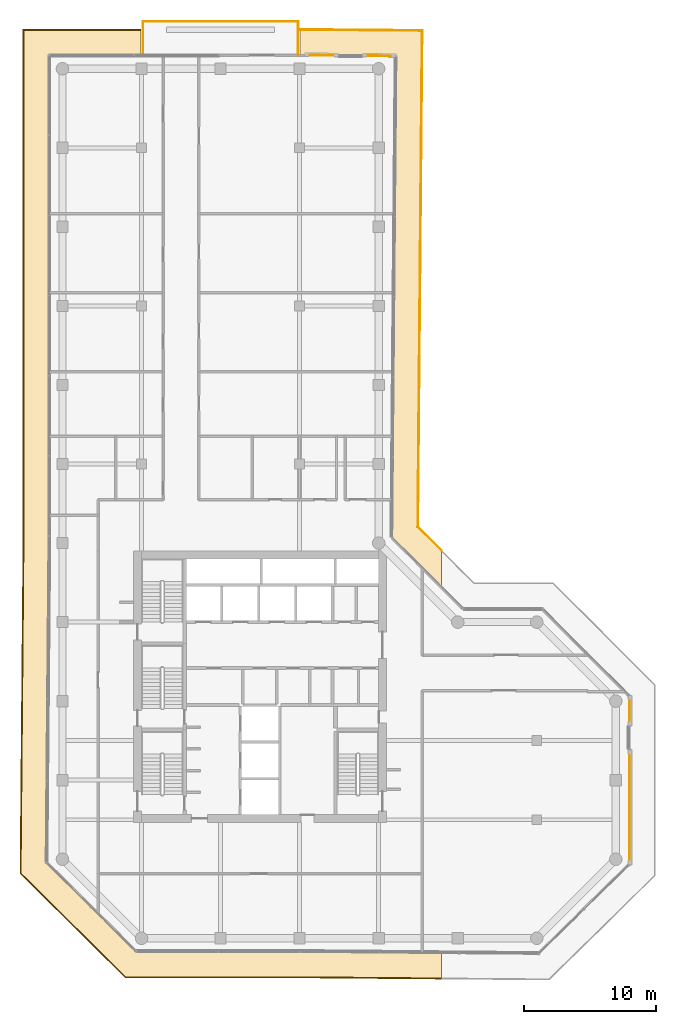
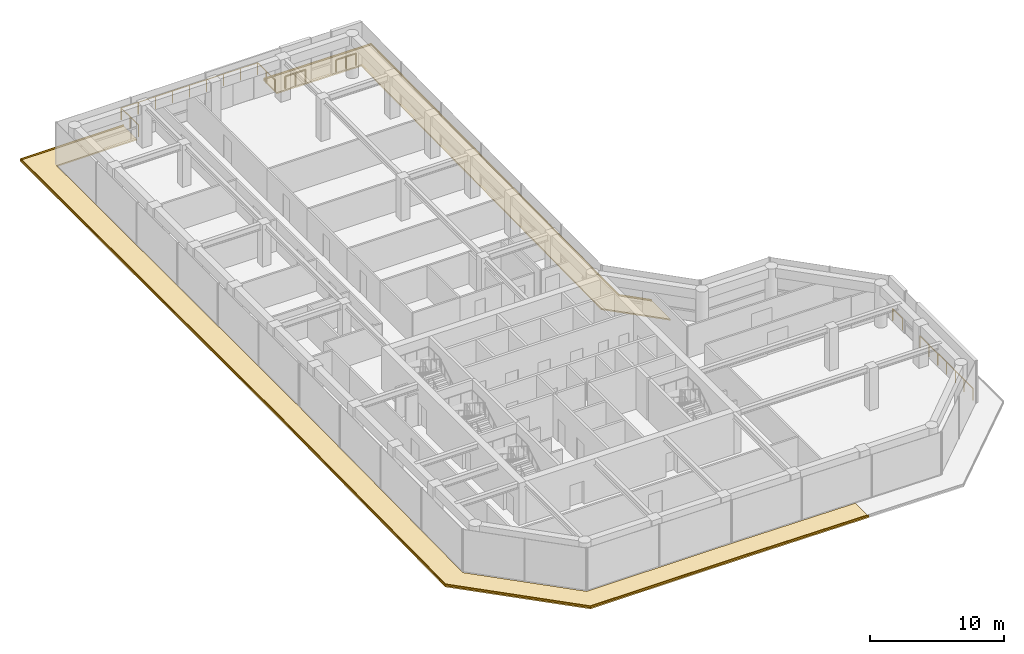
# One storey, part 19 of 19: 5 railings, 4 coverings.
"""IFC4 building model written with IfcOpenShell, lengths in metres."""

from ifc_helpers import new_model, si_unit, direction, frame, origin, origin_2d, place, context, subcontext, project, spatial, polyline, circle, outline, extrude, material, layer, layer_set, type_object, element, save


model = new_model("IFC4")

# Units and contexts
model_context = context("Model", 3, precision=1e-05, world=origin(), true_north=direction((0.0, 1.0)))
body_context = subcontext(model_context, "Body", "Model", "MODEL_VIEW")
ifc_project = project(units=[si_unit("LENGTHUNIT", "METRE"), si_unit("AREAUNIT", "SQUARE_METRE"), si_unit("VOLUMEUNIT", "CUBIC_METRE"), si_unit("PLANEANGLEUNIT", "RADIAN"), si_unit("MASSUNIT", "GRAM", prefix="KILO")], contexts=[model_context])

# Site, building, storey
site_placement = place(None, origin())
site = spatial("IfcSite", under=ifc_project, at=site_placement, CompositionType="ELEMENT")
building_placement = place(site_placement, origin())
building = spatial("IfcBuilding", under=site, at=building_placement, Name="Welwitschia Terrace Campus", CompositionType="ELEMENT")
storey_placement = place(building_placement, frame((0.0, 0.0, 167.60009765625)))
storey = spatial("IfcBuildingStorey", under=building, at=storey_placement, Name="L37", CompositionType="ELEMENT", Elevation=167.60009765625)

# Railings
ifc_material_1 = material(Name="Stainless steel grade 316", Category="steel")
railing_type = type_object("IfcRailingType", Name="Guard 1100", PredefinedType="GUARDRAIL", material=ifc_material_1)
railing_1_placement = place(storey_placement, frame((6.10009765625, 63.030029296875, 0.0)))
element("IfcRailing", 1, at=railing_1_placement, inside=storey, type_object=railing_type, Name="Guard terrace L37:0:0.0", PredefinedType="GUARDRAIL", context=body_context, shape_type="SweptSolid", body=[
    extrude(circle(Radius=0.02392578125, at=origin_2d()), frame((0.0, 0.0, 1.076171875), z_axis=(0.0, 1.0, 0.0), x_axis=(-1.0, 0.0, 0.0)), (0.0, 0.0, 1.0), 2.570068359375),
    extrude(circle(Radius=0.02392578125, at=origin_2d()), frame((0.0, 2.570068359375, 1.076171875), z_axis=(1.0, 0.0, 0.0), x_axis=(0.0, 1.0, 0.0)), (0.0, 0.0, 1.0), 11.7998046875),
    extrude(circle(Radius=0.02392578125, at=origin_2d()), frame((11.7998046875, 2.570068359375, 1.076171875), z_axis=(0.0, -1.0, 0.0), x_axis=(1.0, 0.0, 0.0)), (0.0, 0.0, 1.0), 2.570068359375),
    extrude(circle(Radius=0.02099609375, at=origin_2d()), origin(), (0.0, 0.0, 1.0), 1.052001953125),
    extrude(circle(Radius=0.02099609375, at=origin_2d()), frame((0.0, 1.28515625, 0.0)), (0.0, 0.0, 1.0), 1.052001953125),
    extrude(circle(Radius=0.02099609375, at=origin_2d()), frame((0.0, 2.570068359375, 0.0)), (0.0, 0.0, 1.0), 1.052001953125),
    extrude(circle(Radius=0.02099609375, at=origin_2d()), frame((1.47509765625, 2.570068359375, 0.0)), (0.0, 0.0, 1.0), 1.052001953125),
    extrude(circle(Radius=0.02099609375, at=origin_2d()), frame((2.949951171875, 2.570068359375, 0.0)), (0.0, 0.0, 1.0), 1.052001953125),
    extrude(circle(Radius=0.02099609375, at=origin_2d()), frame((4.4248046875, 2.570068359375, 0.0)), (0.0, 0.0, 1.0), 1.052001953125),
    extrude(circle(Radius=0.02099609375, at=origin_2d()), frame((5.89990234375, 2.570068359375, 0.0)), (0.0, 0.0, 1.0), 1.052001953125),
    extrude(circle(Radius=0.02099609375, at=origin_2d()), frame((7.375, 2.570068359375, 0.0)), (0.0, 0.0, 1.0), 1.052001953125),
    extrude(circle(Radius=0.02099609375, at=origin_2d()), frame((8.849853515625, 2.570068359375, 0.0)), (0.0, 0.0, 1.0), 1.052001953125),
    extrude(circle(Radius=0.02099609375, at=origin_2d()), frame((10.32470703125, 2.570068359375, 0.0)), (0.0, 0.0, 1.0), 1.052001953125),
    extrude(circle(Radius=0.02099609375, at=origin_2d()), frame((11.7998046875, 2.570068359375, 0.0)), (0.0, 0.0, 1.0), 1.052001953125),
    extrude(circle(Radius=0.02099609375, at=origin_2d()), frame((11.7998046875, 1.28515625, 0.0)), (0.0, 0.0, 1.0), 1.052001953125),
    extrude(circle(Radius=0.02099609375, at=origin_2d()), frame((11.7998046875, 0.0, 0.0)), (0.0, 0.0, 1.0), 1.052001953125),
])
railing_2_placement = place(storey_placement, frame((18.79736328125, 63.0263671875, 0.0)))
element("IfcRailing", 2, at=railing_2_placement, inside=storey, type_object=railing_type, Name="Guard floor edge L37.0", PredefinedType="GUARDRAIL", context=body_context, shape_type="SweptSolid", body=[
    extrude(circle(Radius=0.02392578125, at=origin_2d()), frame((0.0, 0.0, 1.076171875), z_axis=(0.999960943774, -0.008838038644, 0.0), x_axis=(0.008838038644, 0.999960943774, 0.0)), (0.0, 0.0, 1.0), 1.740234375),
    extrude(circle(Radius=0.02099609375, at=origin_2d()), origin(), (0.0, 0.0, 1.0), 1.052001953125),
    extrude(circle(Radius=0.02099609375, at=origin_2d()), frame((0.8701171875, -0.0078125, 0.0)), (0.0, 0.0, 1.0), 1.052001953125),
    extrude(circle(Radius=0.02099609375, at=origin_2d()), frame((1.740234375, -0.015380859375, 0.0)), (0.0, 0.0, 1.0), 1.052001953125),
])
railing_3_placement = place(storey_placement, frame((23.18505859375, 62.988037109375, 0.0)))
element("IfcRailing", 3, at=railing_3_placement, inside=storey, type_object=railing_type, Name="Guard floor edge L37.1", PredefinedType="GUARDRAIL", context=body_context, shape_type="SweptSolid", body=[
    extrude(circle(Radius=0.02392578125, at=origin_2d()), frame((0.0, 0.0, 1.076171875), z_axis=(0.999962248792, -0.008689130652, 0.0), x_axis=(0.008689130652, 0.999962248792, 0.0)), (0.0, 0.0, 1.0), 1.7138671875),
    extrude(circle(Radius=0.02099609375, at=origin_2d()), origin(), (0.0, 0.0, 1.0), 1.052001953125),
    extrude(circle(Radius=0.02099609375, at=origin_2d()), frame((0.85693359375, -0.00732421875, 0.0)), (0.0, 0.0, 1.0), 1.052001953125),
    extrude(circle(Radius=0.02099609375, at=origin_2d()), frame((1.7138671875, -0.014892578125, 0.0)), (0.0, 0.0, 1.0), 1.052001953125),
])
railing_4_placement = place(storey_placement, frame((43.030029296875, 9.8896484375, 0.0)))
element("IfcRailing", 4, at=railing_4_placement, inside=storey, type_object=railing_type, Name="Guard floor edge L37.2", PredefinedType="GUARDRAIL", context=body_context, shape_type="SweptSolid", body=[
    extrude(circle(Radius=0.02392578125, at=origin_2d()), frame((0.0, 0.0, 1.076171875), z_axis=(0.0, -1.0, 0.0), x_axis=(1.0, 0.0, 0.0)), (0.0, 0.0, 1.0), 7.892822265625),
    extrude(circle(Radius=0.02099609375, at=origin_2d()), origin(), (0.0, 0.0, 1.0), 1.052001953125),
    extrude(circle(Radius=0.02099609375, at=origin_2d()), frame((0.0, -1.3154296875, 0.0)), (0.0, 0.0, 1.0), 1.052001953125),
    extrude(circle(Radius=0.02099609375, at=origin_2d()), frame((0.0, -2.630859375, 0.0)), (0.0, 0.0, 1.0), 1.052001953125),
    extrude(circle(Radius=0.02099609375, at=origin_2d()), frame((0.0, -3.9462890625, 0.0)), (0.0, 0.0, 1.0), 1.052001953125),
    extrude(circle(Radius=0.02099609375, at=origin_2d()), frame((0.0, -5.261962890625, 0.0)), (0.0, 0.0, 1.0), 1.052001953125),
    extrude(circle(Radius=0.02099609375, at=origin_2d()), frame((0.0, -6.577392578125, 0.0)), (0.0, 0.0, 1.0), 1.052001953125),
    extrude(circle(Radius=0.02099609375, at=origin_2d()), frame((0.0, -7.892822265625, 0.0)), (0.0, 0.0, 1.0), 1.052001953125),
])
railing_5_placement = place(storey_placement, frame((43.030029296875, 14.0029296875, 0.0)))
element("IfcRailing", 5, at=railing_5_placement, inside=storey, type_object=railing_type, Name="Guard floor edge L37.3", PredefinedType="GUARDRAIL", context=body_context, shape_type="SweptSolid", body=[
    extrude(circle(Radius=0.02392578125, at=origin_2d()), frame((0.0, 0.0, 1.076171875), z_axis=(0.0, -1.0, 0.0), x_axis=(1.0, 0.0, 0.0)), (0.0, 0.0, 1.0), 1.4658203125),
    extrude(circle(Radius=0.02099609375, at=origin_2d()), origin(), (0.0, 0.0, 1.0), 1.052001953125),
    extrude(circle(Radius=0.02099609375, at=origin_2d()), frame((0.0, -1.4658203125, 0.0)), (0.0, 0.0, 1.0), 1.052001953125),
])

# Coverings
ifc_material_2 = material(Name="Bronze anodised aluminium", Category="aluminium")
ifc_layer_1 = layer(ifc_material_2, 0.1201171875)
ifc_layer_set_1 = layer_set([ifc_layer_1], Name="Bronze anodised aluminium")
covering_type_1 = type_object("IfcCoveringType", Name="Sunshade band 2000", PredefinedType="USERDEFINED", material=ifc_layer_set_1)
covering_1_placement = place(storey_placement, frame((0.0, 0.0, -0.25)))
element("IfcCovering", 6, at=covering_1_placement, inside=storey, type_object=covering_type_1, Name="SUNSHADE L37.SW0", ObjectType="SUNSHADE", PredefinedType="USERDEFINED", context=body_context, shape_type="SweptSolid", body=[
    extrude(outline(polyline([(28.78369140625, 25.458984375), (28.78369140625, 22.630615234375), (25.0, 26.414306640625), (25.318603515625, 62.939453125), (18.050048828125, 63.0), (18.050048828125, 65.0), (27.336181640625, 64.921875), (27.007080078125, 27.2353515625), (28.78369140625, 25.458984375)])), origin(), (0.0, 0.0, 1.0), 0.119873046875),
])
covering_2_placement = place(storey_placement, frame((0.0, 0.0, -0.25)))
element("IfcCovering", 7, at=covering_2_placement, inside=storey, type_object=covering_type_1, Name="SUNSHADE L37.SW1", ObjectType="SUNSHADE", PredefinedType="USERDEFINED", context=body_context, shape_type="SweptSolid", body=[
    extrude(outline(polyline([(18.068115234375, -7.0), (4.761474609375, -7.0), (-3.223388671875, 0.92919921875), (-3.0, 26.541748046875), (-3.0, 65.0), (5.949951171875, 65.0), (5.949951171875, 63.0), (-1.0, 63.0), (-1.0, 26.532958984375), (-1.21630859375, 1.75439453125), (5.585693359375, -5.0), (18.076904296875, -5.0), (28.78369140625, -5.093505859375), (28.78369140625, -7.093505859375), (18.068115234375, -7.0)])), origin(), (0.0, 0.0, 1.0), 0.119873046875),
])
ifc_material_3 = material(Name="Bronze anodised aluminium", Category="aluminium")
ifc_layer_2 = layer(ifc_material_3, 0.06005859375)
ifc_layer_set_2 = layer_set([ifc_layer_2], Name="Bronze anodised aluminium")
covering_type_2 = type_object("IfcCoveringType", Name="Sunshade lip 60", PredefinedType="USERDEFINED", material=ifc_layer_set_2)
covering_3_placement = place(storey_placement, frame((0.0, 0.0, -0.130126953125)))
element("IfcCovering", 8, at=covering_3_placement, inside=storey, type_object=covering_type_2, Name="SUNSHADE LIP L37.SW0.0", ObjectType="SUNSHADE", PredefinedType="USERDEFINED", context=body_context, shape_type="SweptSolid", body=[
    extrude(outline(polyline([(28.78369140625, 25.3740234375), (26.947021484375, 27.210693359375), (27.275634765625, 64.8623046875), (18.050048828125, 64.93994140625), (18.050048828125, 65.0), (27.336181640625, 64.921875), (27.007080078125, 27.2353515625), (28.78369140625, 25.458984375), (28.78369140625, 25.3740234375)])), origin(), (0.0, 0.0, 1.0), 0.130126953125),
])
covering_4_placement = place(storey_placement, frame((0.0, 0.0, -0.130126953125)))
element("IfcCovering", 9, at=covering_4_placement, inside=storey, type_object=covering_type_2, Name="SUNSHADE LIP L37.SW1.0", ObjectType="SUNSHADE", PredefinedType="USERDEFINED", context=body_context, shape_type="SweptSolid", body=[
    extrude(outline(polyline([(4.761474609375, -7.0), (-3.223388671875, 0.92919921875), (-3.0, 26.541748046875), (-3.0, 65.0), (5.949951171875, 65.0), (5.949951171875, 64.93994140625), (-2.93994140625, 64.93994140625), (-2.93994140625, 26.54150390625), (-3.163330078125, 0.953857421875), (4.7861328125, -6.93994140625), (18.068359375, -6.93994140625), (28.78369140625, -7.033447265625), (28.78369140625, -7.093505859375), (18.068115234375, -7.0), (4.761474609375, -7.0)])), origin(), (0.0, 0.0, 1.0), 0.130126953125),
])

save(model, "model.ifc")
